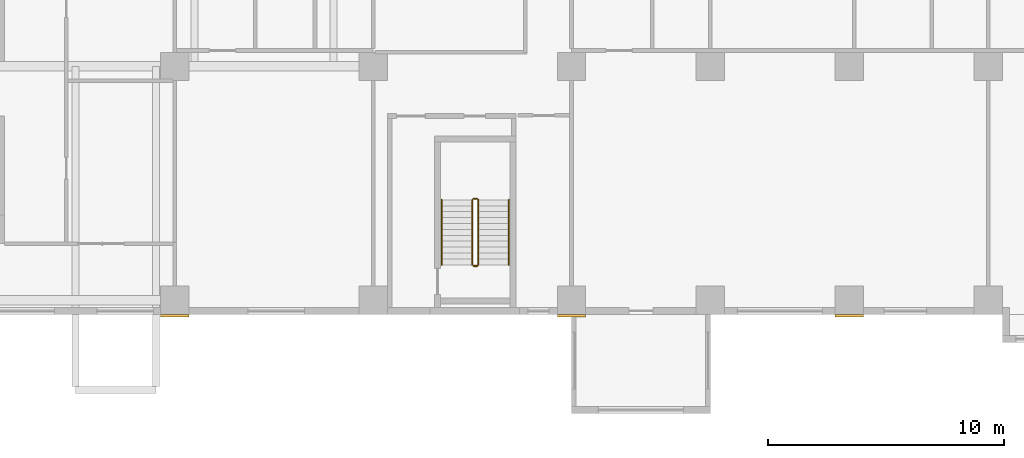
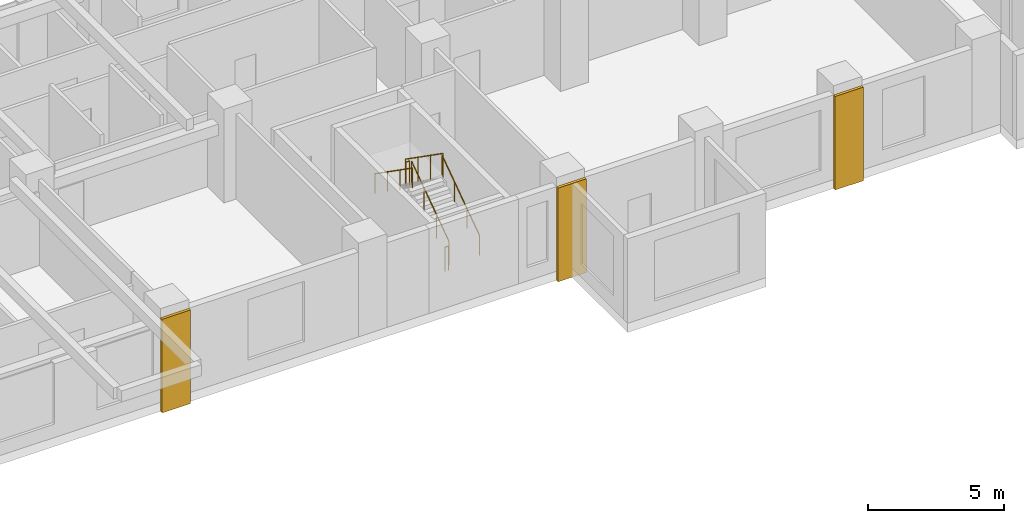
# One storey, part 12 of 15: 6 railings, 3 coverings.
"""IFC4 building model written with IfcOpenShell, lengths in metres."""

from ifc_helpers import new_model, si_unit, direction, frame, origin, origin_2d, place, context, subcontext, project, spatial, rectangle, circle, extrude, source, transform, mapped, material, type_object, element, save


model = new_model("IFC4")

# Units and contexts
model_context = context("Model", 3, precision=1e-05, world=origin(), true_north=direction((0.0, 1.0)))
body_context = subcontext(model_context, "Body", "Model", "MODEL_VIEW")
ifc_project = project(units=[si_unit("LENGTHUNIT", "METRE"), si_unit("AREAUNIT", "SQUARE_METRE"), si_unit("VOLUMEUNIT", "CUBIC_METRE"), si_unit("PLANEANGLEUNIT", "RADIAN"), si_unit("MASSUNIT", "GRAM", prefix="KILO")], contexts=[model_context])

# Site, building, storey
site_placement = place(None, origin())
site = spatial("IfcSite", under=ifc_project, at=site_placement, CompositionType="ELEMENT")
building_placement = place(site_placement, origin())
building = spatial("IfcBuilding", under=site, at=building_placement, Name="Aurelian Terraces", CompositionType="ELEMENT")
storey_placement = place(building_placement, frame((0.0, 0.0, 74.1)))
storey = spatial("IfcBuildingStorey", under=building, at=storey_placement, Name="L15", CompositionType="ELEMENT", Elevation=74.1)

# Coverings
ifc_material_1 = material(Name="Terracotta rainscreen cladding relief", Category="masonry")
covering_type = type_object("IfcCoveringType", Name="BAGUETTE-TC", PredefinedType="CLADDING", material=ifc_material_1)
shared_shape_1 = source(origin(), body_context, "Body", "SweptSolid", [
    extrude(rectangle(XDim=1.2, YDim=0.12, at=origin_2d()), origin(), (0.0, 0.0, 1.0), 4.2),
])
for number, where, z_axis, x_axis, name in (
    (1, (29.4, -0.06, -0.4), (0.0, 0.0, 1.0), (1.0, 0.0, 0.0), "BAGUETTE pier L15 2"),
    (2, (46.2, -0.06, -0.4), (0.0, 0.0, 1.0), (1.0, 0.0, 0.0), "BAGUETTE pier L15 3"),
    (3, (57.96, -0.06, -0.4), (0.0, 0.0, 1.0), (1.0, 0.0, 0.0), "BAGUETTE pier L15 4"),
):
    element("IfcCovering", number, at=place(storey_placement, frame(where, z_axis=z_axis, x_axis=x_axis)), inside=storey, type_object=covering_type, Name=name, PredefinedType="CLADDING", context=body_context, shape_type="MappedRepresentation", body=[
        mapped(shared_shape_1, transform((0.0, 0.0, 0.0), scale=1.0)),
    ])

# Railings
ifc_material_2 = material(Name="Stainless steel", Category="steel")
railing_type_1 = type_object("IfcRailingType", Name="Stair guard 1100", PredefinedType="GUARDRAIL", material=ifc_material_2)
shared_shape_2 = source(origin(), body_context, "Body", "SweptSolid", [
    extrude(circle(Radius=0.024, at=origin_2d()), frame((0.0, 0.0, 1.076), z_axis=(-1.0, 0.0, 0.0), x_axis=(0.0, -1.0, 0.0)), (0.0, 0.0, 1.0), 0.15),
    extrude(circle(Radius=0.021, at=origin_2d()), origin(), (0.0, 0.0, 1.0), 1.052),
    extrude(circle(Radius=0.021, at=origin_2d()), frame((-0.15, 0.0, 0.0)), (0.0, 0.0, 1.0), 1.052),
])
for number, where, name in (
    (4, (42.2, 4.9, 2.1), "L15 S2 stair guard 2"),
    (5, (42.2, 2.05, 0.0), "L15 S2 stair guard 4"),
):
    element("IfcRailing", number, at=place(storey_placement, frame(where)), inside=storey, type_object=railing_type_1, Name=name, PredefinedType="GUARDRAIL", context=body_context, shape_type="MappedRepresentation", body=[
        mapped(shared_shape_2, transform((0.0, 0.0, 0.0), scale=1.0)),
    ])
shared_shape_3 = source(origin(), body_context, "Body", "SweptSolid", [
    extrude(circle(Radius=0.024, at=origin_2d()), frame((0.0, 0.0, 1.076), z_axis=(0.0, 0.819231920519, 0.573462344363), x_axis=(-1.0, 0.0, 0.0)), (0.0, 0.0, 1.0), 3.3568),
    extrude(circle(Radius=0.021, at=origin_2d()), origin(), (0.0, 0.0, 1.0), 1.052),
    extrude(circle(Radius=0.021, at=origin_2d()), frame((0.0, 0.9167, 0.6417)), (0.0, 0.0, 1.0), 1.052),
    extrude(circle(Radius=0.021, at=origin_2d()), frame((0.0, 1.8333, 1.2833)), (0.0, 0.0, 1.0), 1.052),
    extrude(circle(Radius=0.021, at=origin_2d()), frame((0.0, 2.75, 1.925)), (0.0, 0.0, 1.0), 1.052),
])
railing_1_placement = place(storey_placement, frame((42.25, 2.1, 0.175)))
element("IfcRailing", 6, at=railing_1_placement, inside=storey, type_object=railing_type_1, Name="L15 S2 stair guard 1", PredefinedType="GUARDRAIL", context=body_context, shape_type="MappedRepresentation", body=[
    mapped(shared_shape_3, transform((0.0, 0.0, 0.0), scale=1.0)),
])
shared_shape_4 = source(origin(), body_context, "Body", "SweptSolid", [
    extrude(circle(Radius=0.024, at=origin_2d()), frame((0.0, 0.0, 1.076), z_axis=(0.0, -0.819231920519, 0.573462344363), x_axis=(1.0, 0.0, 0.0)), (0.0, 0.0, 1.0), 3.3568),
    extrude(circle(Radius=0.021, at=origin_2d()), origin(), (0.0, 0.0, 1.0), 1.052),
    extrude(circle(Radius=0.021, at=origin_2d()), frame((0.0, -0.9167, 0.6417)), (0.0, 0.0, 1.0), 1.052),
    extrude(circle(Radius=0.021, at=origin_2d()), frame((0.0, -1.8333, 1.2833)), (0.0, 0.0, 1.0), 1.052),
    extrude(circle(Radius=0.021, at=origin_2d()), frame((0.0, -2.75, 1.925)), (0.0, 0.0, 1.0), 1.052),
])
railing_2_placement = place(storey_placement, frame((42.0, 4.85, 2.275)))
element("IfcRailing", 7, at=railing_2_placement, inside=storey, type_object=railing_type_1, Name="L15 S2 stair guard 3", PredefinedType="GUARDRAIL", context=body_context, shape_type="MappedRepresentation", body=[
    mapped(shared_shape_4, transform((0.0, 0.0, 0.0), scale=1.0)),
])
railing_type_2 = type_object("IfcRailingType", Name="Stair handrail", PredefinedType="HANDRAIL", material=ifc_material_2)
shared_shape_5 = source(origin(), body_context, "Body", "SweptSolid", [
    extrude(circle(Radius=0.024, at=origin_2d()), frame((0.0, 0.0, 0.876), z_axis=(0.0, 0.819231920519, 0.573462344363), x_axis=(-1.0, 0.0, 0.0)), (0.0, 0.0, 1.0), 3.3568),
    extrude(circle(Radius=0.021, at=origin_2d()), origin(), (0.0, 0.0, 1.0), 0.852),
    extrude(circle(Radius=0.021, at=origin_2d()), frame((0.0, 0.9167, 0.6417)), (0.0, 0.0, 1.0), 0.852),
    extrude(circle(Radius=0.021, at=origin_2d()), frame((0.0, 1.8333, 1.2833)), (0.0, 0.0, 1.0), 0.852),
    extrude(circle(Radius=0.021, at=origin_2d()), frame((0.0, 2.75, 1.925)), (0.0, 0.0, 1.0), 0.852),
])
railing_3_placement = place(storey_placement, frame((43.55, 2.1, 0.175)))
element("IfcRailing", 8, at=railing_3_placement, inside=storey, type_object=railing_type_2, Name="L15 S2 stair handrail 1", PredefinedType="HANDRAIL", context=body_context, shape_type="MappedRepresentation", body=[
    mapped(shared_shape_5, transform((0.0, 0.0, 0.0), scale=1.0)),
])
shared_shape_6 = source(origin(), body_context, "Body", "SweptSolid", [
    extrude(circle(Radius=0.024, at=origin_2d()), frame((0.0, 0.0, 0.876), z_axis=(0.0, -0.819231920519, 0.573462344363), x_axis=(1.0, 0.0, 0.0)), (0.0, 0.0, 1.0), 3.3568),
    extrude(circle(Radius=0.021, at=origin_2d()), origin(), (0.0, 0.0, 1.0), 0.852),
    extrude(circle(Radius=0.021, at=origin_2d()), frame((0.0, -0.9167, 0.6417)), (0.0, 0.0, 1.0), 0.852),
    extrude(circle(Radius=0.021, at=origin_2d()), frame((0.0, -1.8333, 1.2833)), (0.0, 0.0, 1.0), 0.852),
    extrude(circle(Radius=0.021, at=origin_2d()), frame((0.0, -2.75, 1.925)), (0.0, 0.0, 1.0), 0.852),
])
railing_4_placement = place(storey_placement, frame((40.7, 4.85, 2.275)))
element("IfcRailing", 9, at=railing_4_placement, inside=storey, type_object=railing_type_2, Name="L15 S2 stair handrail 2", PredefinedType="HANDRAIL", context=body_context, shape_type="MappedRepresentation", body=[
    mapped(shared_shape_6, transform((0.0, 0.0, 0.0), scale=1.0)),
])

save(model, "model.ifc")
